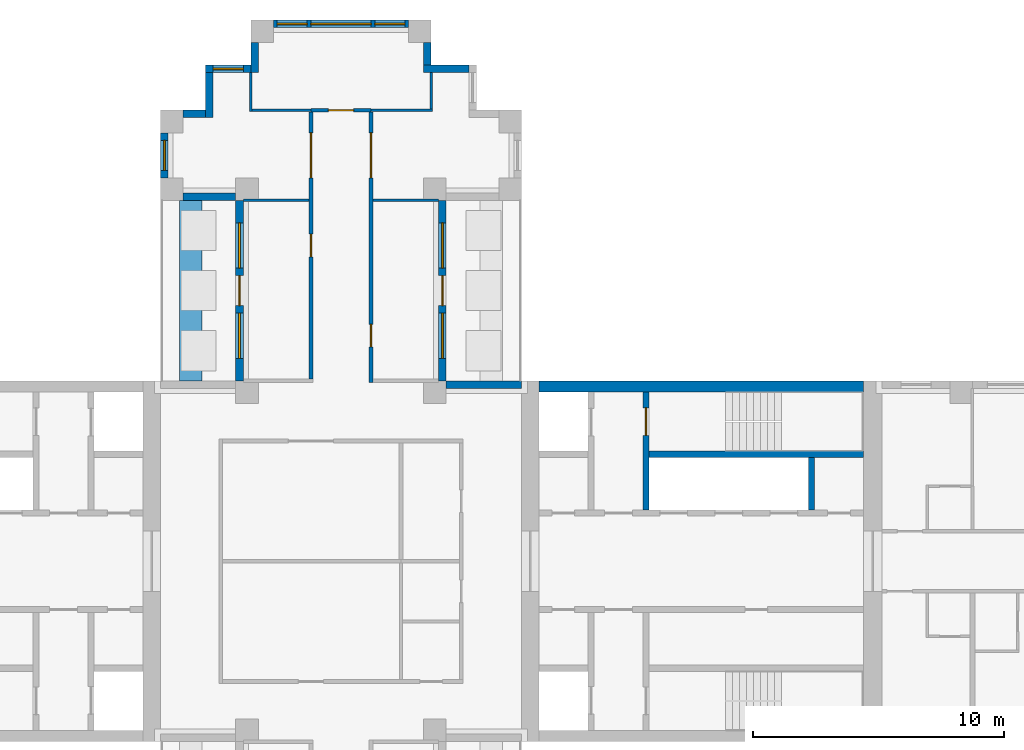
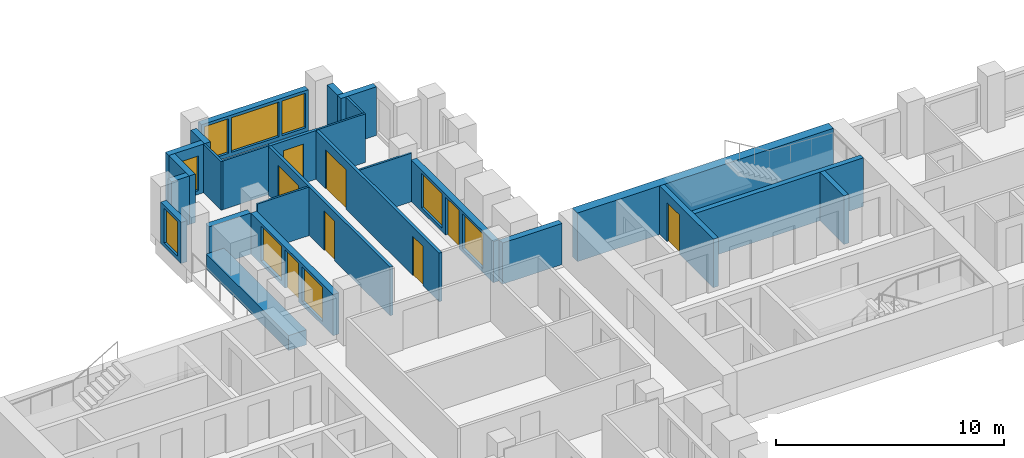
# One storey, part 7 of 12: 26 walls, 9 windows, 8 doors, 17 openings.
"""IFC4 building model written with IfcOpenShell, lengths in metres."""

from ifc_helpers import new_model, si_unit, direction, frame, frame_2d, origin, place, context, subcontext, project, spatial, rectangle, extrude, material, layer, layer_set, type_object, element, fill, save


model = new_model("IFC4")

# Units and contexts
model_context = context("Model", 3, precision=1e-05, world=origin(), true_north=direction((0.0, 1.0)))
body_context = subcontext(model_context, "Body", "Model", "MODEL_VIEW")
ifc_project = project(units=[si_unit("LENGTHUNIT", "METRE"), si_unit("AREAUNIT", "SQUARE_METRE"), si_unit("VOLUMEUNIT", "CUBIC_METRE"), si_unit("PLANEANGLEUNIT", "RADIAN"), si_unit("MASSUNIT", "GRAM", prefix="KILO")], contexts=[model_context])

# Site, building, storey
site_placement = place(None, origin())
site = spatial("IfcSite", under=ifc_project, at=site_placement, CompositionType="ELEMENT")
building_placement = place(site_placement, origin())
building = spatial("IfcBuilding", under=site, at=building_placement, Name="Fustian Cross Tower", CompositionType="ELEMENT")
storey_placement = place(building_placement, frame((0.0, 0.0, 132.300048828125)))
storey = spatial("IfcBuildingStorey", under=building, at=storey_placement, Name="L41", CompositionType="ELEMENT", Elevation=132.300048828125)

# Wall, openings, doors
ifc_material_1 = material(Name="Plasterboard on steel stud", Category="steel")
ifc_layer_1 = layer(ifc_material_1, 0.14990234375)
ifc_layer_set_1 = layer_set([ifc_layer_1], Name="Plasterboard on steel stud")
wall_type_1 = type_object("IfcWallType", Name="COMPARTMENT WALL 150 EI 60", PredefinedType="PARTITIONING", material=ifc_layer_set_1)
wall_1_placement = place(storey_placement, frame((-1.199951171875, 7.27490234375, 0.0), z_axis=(0.0, 0.0, 1.0), x_axis=(0.0, 1.0, 0.0)))
wall_1 = element("IfcWall", 1, at=wall_1_placement, inside=storey, type_object=wall_type_1, Name="Partition 31", PredefinedType="PARTITIONING", context=body_context, shape_type="SweptSolid", body=[
    extrude(rectangle(XDim=10.650146484375, YDim=0.14990234375, at=frame_2d((5.3251953125, 0.0))), origin(), (0.0, 0.0, 1.0), 2.599853515625),
])
opening_1_placement = place(wall_1_placement, frame((4.875, 0.0, 0.0)))
opening_1 = element("IfcOpeningElement", 2, at=opening_1_placement, cuts=wall_1, Name="Opening D19016", PredefinedType="OPENING", context=body_context, shape_type="SweptSolid", body=[
    extrude(rectangle(XDim=0.89990234375, YDim=2.10009765625, at=frame_2d((0.449951171875, 1.050048828125))), frame((0.0, 0.0849609375, 0.0), z_axis=(0.0, -1.0, 0.0), x_axis=(1.0, 0.0, 0.0)), (0.0, 0.0, 1.0), 0.169921875),
])
opening_2_placement = place(wall_1_placement, frame((8.02490234375, 0.0, 0.0)))
opening_2 = element("IfcOpeningElement", 3, at=opening_2_placement, cuts=wall_1, Name="Opening D19017", PredefinedType="OPENING", context=body_context, shape_type="SweptSolid", body=[
    extrude(rectangle(XDim=1.800048828125, YDim=2.10009765625, at=frame_2d((0.89990234375, 1.050048828125))), frame((0.0, 0.0849609375, 0.0), z_axis=(0.0, -1.0, 0.0), x_axis=(1.0, 0.0, 0.0)), (0.0, 0.0, 1.0), 0.169921875),
])
ifc_material_2 = material(Name="Timber fire door set", Category="wood")
door_type_1 = type_object("IfcDoorType", Name="FIRE DOUBLE DOOR 1800 FD30S", OperationType="DOUBLE_DOOR_DOUBLE_SWING", PredefinedType="DOOR", material=ifc_material_2)
door_1_placement = place(opening_2_placement, frame((1.800048828125, 0.0, 0.0), z_axis=(0.0, 0.0, 1.0), x_axis=(-1.0, 0.0, 0.0)))
door_1 = element("IfcDoor", 4, at=door_1_placement, inside=storey, type_object=door_type_1, Name="Door D19017", OperationType="DOUBLE_DOOR_DOUBLE_SWING", OverallHeight=2.10009765625, OverallWidth=1.800048828125, PredefinedType="DOOR", context=body_context, shape_type="SweptSolid", body=[
    extrude(rectangle(XDim=1.800048828125, YDim=2.10009765625, at=frame_2d((0.89990234375, 1.050048828125))), frame((0.0, 0.02490234375, 0.0), z_axis=(0.0, -1.0, 0.0), x_axis=(1.0, 0.0, 0.0)), (0.0, 0.0, 1.0), 0.050048828125),
])
fill(opening_2, door_1)
ifc_material_3 = material(Name="Timber fire door set", Category="wood")
door_type_2 = type_object("IfcDoorType", Name="FIRE SWING DOOR 900 FD30S", OperationType="SINGLE_SWING_LEFT", PredefinedType="DOOR", material=ifc_material_3)
door_2_placement = place(opening_1_placement, origin())
door_2 = element("IfcDoor", 5, at=door_2_placement, inside=storey, type_object=door_type_2, Name="Door D19016", OperationType="SINGLE_SWING_RIGHT", OverallHeight=2.10009765625, OverallWidth=0.89990234375, PredefinedType="DOOR", context=body_context, shape_type="SweptSolid", body=[
    extrude(rectangle(XDim=0.89990234375, YDim=2.10009765625, at=frame_2d((0.449951171875, 1.050048828125))), frame((0.0, 0.02490234375, 0.0), z_axis=(0.0, -1.0, 0.0), x_axis=(1.0, 0.0, 0.0)), (0.0, 0.0, 1.0), 0.050048828125),
])
fill(opening_1, door_2)

# Wall, opening, door
wall_2_placement = place(storey_placement, frame((-1.199951171875, 18.0, 0.0), z_axis=(0.0, 0.0, 1.0), x_axis=(1.0, 0.0, 0.0)))
wall_2 = element("IfcWall", 6, at=wall_2_placement, inside=storey, type_object=wall_type_1, Name="Partition 32", PredefinedType="PARTITIONING", context=body_context, shape_type="SweptSolid", body=[
    extrude(rectangle(XDim=2.39990234375, YDim=0.14990234375, at=frame_2d((1.199951171875, 0.0))), origin(), (0.0, 0.0, 1.0), 2.599853515625),
])
opening_3_placement = place(wall_2_placement, frame((0.699951171875, 0.0, 0.0)))
opening_3 = element("IfcOpeningElement", 7, at=opening_3_placement, cuts=wall_2, Name="Opening D19015", PredefinedType="OPENING", context=body_context, shape_type="SweptSolid", body=[
    extrude(rectangle(XDim=1.0, YDim=2.10009765625, at=frame_2d((0.5, 1.050048828125))), frame((0.0, 0.0849609375, 0.0), z_axis=(0.0, -1.0, 0.0), x_axis=(1.0, 0.0, 0.0)), (0.0, 0.0, 1.0), 0.169921875),
])
ifc_material_4 = material(Name="Timber fire door set", Category="wood")
door_type_3 = type_object("IfcDoorType", Name="FIRE SWING DOOR 1000 FD30S", OperationType="SINGLE_SWING_LEFT", PredefinedType="DOOR", material=ifc_material_4)
door_3_placement = place(opening_3_placement, origin())
door_3 = element("IfcDoor", 8, at=door_3_placement, inside=storey, type_object=door_type_3, Name="Door D19015", OperationType="SINGLE_SWING_LEFT", OverallHeight=2.10009765625, OverallWidth=1.0, PredefinedType="DOOR", context=body_context, shape_type="SweptSolid", body=[
    extrude(rectangle(XDim=1.0, YDim=2.10009765625, at=frame_2d((0.5, 1.050048828125))), frame((0.0, 0.02490234375, 0.0), z_axis=(0.0, -1.0, 0.0), x_axis=(1.0, 0.0, 0.0)), (0.0, 0.0, 1.0), 0.050048828125),
])
fill(opening_3, door_3)

# Wall, openings, doors
wall_3_placement = place(storey_placement, frame((1.199951171875, 7.125, 0.0), z_axis=(0.0, 0.0, 1.0), x_axis=(0.0, 1.0, 0.0)))
wall_3 = element("IfcWall", 9, at=wall_3_placement, inside=storey, type_object=wall_type_1, Name="Partition 38", PredefinedType="PARTITIONING", context=body_context, shape_type="SweptSolid", body=[
    extrude(rectangle(XDim=10.800048828125, YDim=0.14990234375, at=frame_2d((5.39990234375, 0.0))), origin(), (0.0, 0.0, 1.0), 2.599853515625),
])
opening_4_placement = place(wall_3_placement, frame((1.425048828125, 0.0, 0.0)))
opening_4 = element("IfcOpeningElement", 10, at=opening_4_placement, cuts=wall_3, Name="Opening D19018", PredefinedType="OPENING", context=body_context, shape_type="SweptSolid", body=[
    extrude(rectangle(XDim=0.89990234375, YDim=2.10009765625, at=frame_2d((0.449951171875, 1.050048828125))), frame((0.0, 0.0849609375, 0.0), z_axis=(0.0, -1.0, 0.0), x_axis=(1.0, 0.0, 0.0)), (0.0, 0.0, 1.0), 0.169921875),
])
opening_5_placement = place(wall_3_placement, frame((8.175048828125, 0.0, 0.0)))
opening_5 = element("IfcOpeningElement", 11, at=opening_5_placement, cuts=wall_3, Name="Opening D19019", PredefinedType="OPENING", context=body_context, shape_type="SweptSolid", body=[
    extrude(rectangle(XDim=1.800048828125, YDim=2.10009765625, at=frame_2d((0.89990234375, 1.050048828125))), frame((0.0, 0.0849609375, 0.0), z_axis=(0.0, -1.0, 0.0), x_axis=(1.0, 0.0, 0.0)), (0.0, 0.0, 1.0), 0.169921875),
])
door_4_placement = place(opening_5_placement, origin())
door_4 = element("IfcDoor", 12, at=door_4_placement, inside=storey, type_object=door_type_1, Name="Door D19019", OperationType="DOUBLE_DOOR_DOUBLE_SWING", OverallHeight=2.10009765625, OverallWidth=1.800048828125, PredefinedType="DOOR", context=body_context, shape_type="SweptSolid", body=[
    extrude(rectangle(XDim=1.800048828125, YDim=2.10009765625, at=frame_2d((0.89990234375, 1.050048828125))), frame((0.0, 0.02490234375, 0.0), z_axis=(0.0, -1.0, 0.0), x_axis=(1.0, 0.0, 0.0)), (0.0, 0.0, 1.0), 0.050048828125),
])
fill(opening_5, door_4)
door_5_placement = place(opening_4_placement, frame((0.89990234375, 0.0, 0.0), z_axis=(0.0, 0.0, 1.0), x_axis=(-1.0, 0.0, 0.0)))
door_5 = element("IfcDoor", 13, at=door_5_placement, inside=storey, type_object=door_type_2, Name="Door D19018", OperationType="SINGLE_SWING_RIGHT", OverallHeight=2.10009765625, OverallWidth=0.89990234375, PredefinedType="DOOR", context=body_context, shape_type="SweptSolid", body=[
    extrude(rectangle(XDim=0.89990234375, YDim=2.10009765625, at=frame_2d((0.449951171875, 1.050048828125))), frame((0.0, 0.02490234375, 0.0), z_axis=(0.0, -1.0, 0.0), x_axis=(1.0, 0.0, 0.0)), (0.0, 0.0, 1.0), 0.050048828125),
])
fill(opening_4, door_5)

# Walls
ifc_material_5 = material(Name="Concrete C60/75", Category="concrete")
ifc_layer_2 = layer(ifc_material_5, 0.449951171875)
ifc_layer_set_2 = layer_set([ifc_layer_2], Name="Concrete C60/75")
wall_type_2 = type_object("IfcWallType", Name="CORE FACADE WALL 450 C60/75", PredefinedType="SHEAR", material=ifc_layer_set_2)
wall_4_placement = place(storey_placement, frame((7.89990234375, 6.97509765625, 0.0), z_axis=(0.0, 0.0, 1.0), x_axis=(1.0, 0.0, 0.0)))
element("IfcWall", 14, at=wall_4_placement, inside=storey, type_object=wall_type_2, Name="Core facade wall", PredefinedType="SHEAR", context=body_context, shape_type="SweptSolid", body=[
    extrude(rectangle(XDim=12.9501953125, YDim=0.449951171875, at=frame_2d((6.47509765625, 0.0))), origin(), (0.0, 0.0, 1.0), 2.599853515625),
])
ifc_material_6 = material(Name="Concrete C50/60", Category="concrete")
ifc_layer_3 = layer(ifc_material_6, 0.25)
ifc_layer_set_3 = layer_set([ifc_layer_3], Name="Concrete C50/60")
wall_type_3 = type_object("IfcWallType", Name="CORE SHAFT WALL 250 C50/60", PredefinedType="SHEAR", material=ifc_layer_set_3)
wall_5_placement = place(storey_placement, frame((12.300048828125, 4.27490234375, 0.0), z_axis=(0.0, 0.0, 1.0), x_axis=(1.0, 0.0, 0.0)))
element("IfcWall", 15, at=wall_5_placement, inside=storey, type_object=wall_type_3, Name="Core shaft wall", PredefinedType="SHEAR", context=body_context, shape_type="SweptSolid", body=[
    extrude(rectangle(XDim=8.550048828125, YDim=0.25, at=frame_2d((4.27490234375, 0.0))), origin(), (0.0, 0.0, 1.0), 2.599853515625),
])

# Wall, opening, door
wall_6_placement = place(storey_placement, frame((12.175048828125, 2.050048828125, 0.0), z_axis=(0.0, 0.0, 1.0), x_axis=(0.0, 1.0, 0.0)))
wall_6 = element("IfcWall", 16, at=wall_6_placement, inside=storey, type_object=wall_type_3, Name="Core shaft wall", PredefinedType="SHEAR", context=body_context, shape_type="SweptSolid", body=[
    extrude(rectangle(XDim=4.699951171875, YDim=0.25, at=frame_2d((2.35009765625, 0.0))), origin(), (0.0, 0.0, 1.0), 2.599853515625),
])
opening_6_placement = place(wall_6_placement, frame((2.97509765625, 0.0, 0.0)))
opening_6 = element("IfcOpeningElement", 17, at=opening_6_placement, cuts=wall_6, Name="Opening CD-17-06", PredefinedType="OPENING", context=body_context, shape_type="SweptSolid", body=[
    extrude(rectangle(XDim=1.10009765625, YDim=2.10009765625, at=frame_2d((0.550048828125, 1.050048828125))), frame((0.0, 0.135009765625, 0.0), z_axis=(0.0, -1.0, 0.0), x_axis=(1.0, 0.0, 0.0)), (0.0, 0.0, 1.0), 0.27001953125),
])
ifc_material_7 = material(Name="Steel", Category="steel")
door_type_4 = type_object("IfcDoorType", Name="FIRE DOOR FD60S 1100X2100", OperationType="SINGLE_SWING_LEFT", PredefinedType="DOOR", material=ifc_material_7)
door_6_placement = place(opening_6_placement, frame((1.10009765625, 0.0, 0.0), z_axis=(0.0, 0.0, 1.0), x_axis=(-1.0, 0.0, 0.0)))
door_6 = element("IfcDoor", 18, at=door_6_placement, inside=storey, type_object=door_type_4, Name="Core door CD-17-06", OperationType="SINGLE_SWING_RIGHT", OverallHeight=2.10009765625, OverallWidth=1.10009765625, PredefinedType="DOOR", context=body_context, shape_type="SweptSolid", body=[
    extrude(rectangle(XDim=1.10009765625, YDim=2.10009765625, at=frame_2d((0.550048828125, 1.050048828125))), frame((0.0, 0.02490234375, 0.0), z_axis=(0.0, -1.0, 0.0), x_axis=(1.0, 0.0, 0.0)), (0.0, 0.0, 1.0), 0.050048828125),
])
fill(opening_6, door_6)

# Walls
ifc_material_8 = material(Name="Plasterboard on steel stud", Category="steel")
ifc_layer_4 = layer(ifc_material_8, 0.10009765625)
ifc_layer_set_4 = layer_set([ifc_layer_4], Name="Plasterboard on steel stud")
wall_type_4 = type_object("IfcWallType", Name="PARTITION 100 STUD", PredefinedType="PARTITIONING", material=ifc_layer_set_4)
wall_7_placement = place(storey_placement, frame((-3.89990234375, 14.39990234375, 0.0), z_axis=(0.0, 0.0, 1.0), x_axis=(1.0, 0.0, 0.0)))
element("IfcWall", 19, at=wall_7_placement, inside=storey, type_object=wall_type_4, Name="Partition 23", PredefinedType="PARTITIONING", context=body_context, shape_type="SweptSolid", body=[
    extrude(rectangle(XDim=2.625, YDim=0.10009765625, at=frame_2d((1.3125, 0.0))), origin(), (0.0, 0.0, 1.0), 2.599853515625),
])
wall_8_placement = place(storey_placement, frame((-3.60009765625, 17.949951171875, 0.0), z_axis=(0.0, 0.0, 1.0), x_axis=(0.0, 1.0, 0.0)))
element("IfcWall", 20, at=wall_8_placement, inside=storey, type_object=wall_type_4, Name="Partition 27", PredefinedType="PARTITIONING", context=body_context, shape_type="SweptSolid", body=[
    extrude(rectangle(XDim=1.550048828125, YDim=0.10009765625, at=frame_2d((0.77490234375, 0.0))), origin(), (0.0, 0.0, 1.0), 2.599853515625),
])
wall_9_placement = place(storey_placement, frame((-3.550048828125, 18.0, 0.0), z_axis=(0.0, 0.0, 1.0), x_axis=(1.0, 0.0, 0.0)))
element("IfcWall", 21, at=wall_9_placement, inside=storey, type_object=wall_type_4, Name="Partition 28", PredefinedType="PARTITIONING", context=body_context, shape_type="SweptSolid", body=[
    extrude(rectangle(XDim=2.35009765625, YDim=0.10009765625, at=frame_2d((1.175048828125, 0.0))), origin(), (0.0, 0.0, 1.0), 2.599853515625),
])
wall_10_placement = place(storey_placement, frame((1.27490234375, 14.39990234375, 0.0), z_axis=(0.0, 0.0, 1.0), x_axis=(1.0, 0.0, 0.0)))
element("IfcWall", 22, at=wall_10_placement, inside=storey, type_object=wall_type_4, Name="Partition 40", PredefinedType="PARTITIONING", context=body_context, shape_type="SweptSolid", body=[
    extrude(rectangle(XDim=2.625, YDim=0.10009765625, at=frame_2d((1.3125, 0.0))), origin(), (0.0, 0.0, 1.0), 2.599853515625),
])
wall_11_placement = place(storey_placement, frame((1.199951171875, 18.0, 0.0), z_axis=(0.0, 0.0, 1.0), x_axis=(1.0, 0.0, 0.0)))
element("IfcWall", 23, at=wall_11_placement, inside=storey, type_object=wall_type_4, Name="Partition 41", PredefinedType="PARTITIONING", context=body_context, shape_type="SweptSolid", body=[
    extrude(rectangle(XDim=2.449951171875, YDim=0.10009765625, at=frame_2d((1.22509765625, 0.0))), origin(), (0.0, 0.0, 1.0), 2.599853515625),
])
wall_12_placement = place(storey_placement, frame((3.60009765625, 18.050048828125, 0.0), z_axis=(0.0, 0.0, 1.0), x_axis=(0.0, 1.0, 0.0)))
element("IfcWall", 24, at=wall_12_placement, inside=storey, type_object=wall_type_4, Name="Partition 47", PredefinedType="PARTITIONING", context=body_context, shape_type="SweptSolid", body=[
    extrude(rectangle(XDim=1.449951171875, YDim=0.10009765625, at=frame_2d((0.72509765625, 0.0))), origin(), (0.0, 0.0, 1.0), 2.599853515625),
])
ifc_material_9 = material(Name="Concrete C40/50", Category="concrete")
ifc_layer_5 = layer(ifc_material_9, 0.89990234375)
ifc_layer_set_5 = layer_set([ifc_layer_5], Name="Concrete C40/50")
wall_type_5 = type_object("IfcWallType", Name="PK1 PLANTER 900", PredefinedType="PARAPET", material=ifc_layer_set_5)
wall_13_placement = place(storey_placement, frame((-6.0, 7.199951171875, 0.0), z_axis=(0.0, 0.0, 1.0), x_axis=(0.0, 1.0, 0.0)))
element("IfcWall", 25, at=wall_13_placement, inside=storey, type_object=wall_type_5, Name="PLANTER", PredefinedType="PARAPET", context=body_context, shape_type="SweptSolid", body=[
    extrude(rectangle(XDim=7.199951171875, YDim=0.89990234375, at=frame_2d((3.60009765625, 0.0))), origin(), (0.0, 0.0, 1.0), 0.800048828125),
])
ifc_material_10 = material(Name="Concrete C40/50", Category="concrete")
ifc_layer_6 = layer(ifc_material_10, 0.25)
ifc_layer_set_6 = layer_set([ifc_layer_6], Name="Concrete C40/50")
wall_type_6 = type_object("IfcWallType", Name="SHAFT PARTITION WALL 250 C40/50", PredefinedType="PARTITIONING", material=ifc_layer_set_6)
wall_14_placement = place(storey_placement, frame((18.77490234375, 2.050048828125, 0.0), z_axis=(0.0, 0.0, 1.0), x_axis=(0.0, 1.0, 0.0)))
element("IfcWall", 26, at=wall_14_placement, inside=storey, type_object=wall_type_6, Name="Core shaft wall", PredefinedType="PARTITIONING", context=body_context, shape_type="SweptSolid", body=[
    extrude(rectangle(XDim=2.099853515625, YDim=0.25, at=frame_2d((1.0498046875, 0.0))), origin(), (0.0, 0.0, 1.0), 2.599853515625),
])
ifc_material_11 = material(Name="Dark aluminium cladding on insulated backing wall", Category="aluminium")
ifc_layer_7 = layer(ifc_material_11, 0.300048828125)
ifc_layer_set_7 = layer_set([ifc_layer_7], Name="Dark aluminium cladding on insulated backing wall")
wall_type_7 = type_object("IfcWallType", Name="XW1 EXTERNAL WALL 300", PredefinedType="SOLIDWALL", material=ifc_layer_set_7)
wall_15_placement = place(storey_placement, frame((7.199951171875, 7.050048828125, 0.0), z_axis=(0.0, 0.0, 1.0), x_axis=(-1.0, 0.0, 0.0)))
element("IfcWall", 27, at=wall_15_placement, inside=storey, type_object=wall_type_7, Name="External wall", PredefinedType="SOLIDWALL", context=body_context, shape_type="SweptSolid", body=[
    extrude(rectangle(XDim=3.0, YDim=0.300048828125, at=frame_2d((1.5, 0.0))), origin(), (0.0, 0.0, 1.0), 2.199951171875),
])

# Wall, openings, door, windows
wall_16_placement = place(storey_placement, frame((4.050048828125, 7.199951171875, 0.0), z_axis=(0.0, 0.0, 1.0), x_axis=(0.0, 1.0, 0.0)))
wall_16 = element("IfcWall", 28, at=wall_16_placement, inside=storey, type_object=wall_type_7, Name="External wall", PredefinedType="SOLIDWALL", context=body_context, shape_type="SweptSolid", body=[
    extrude(rectangle(XDim=7.199951171875, YDim=0.300048828125, at=frame_2d((3.60009765625, 0.0))), origin(), (0.0, 0.0, 1.0), 2.199951171875),
])
opening_7_placement = place(wall_16_placement, frame((3.0, 0.0, 0.0)))
opening_7 = element("IfcOpeningElement", 29, at=opening_7_placement, cuts=wall_16, Name="Opening XD1", PredefinedType="OPENING", context=body_context, shape_type="SweptSolid", body=[
    extrude(rectangle(XDim=1.199951171875, YDim=2.050048828125, at=frame_2d((0.60009765625, 1.02490234375))), frame((0.0, 0.159912109375, 0.0), z_axis=(0.0, -1.0, 0.0), x_axis=(1.0, 0.0, 0.0)), (0.0, 0.0, 1.0), 0.320068359375),
])
opening_8_placement = place(wall_16_placement, frame((0.89990234375, 0.0, 0.199951171875)))
opening_8 = element("IfcOpeningElement", 30, at=opening_8_placement, cuts=wall_16, Name="Opening WN2", PredefinedType="OPENING", context=body_context, shape_type="SweptSolid", body=[
    extrude(rectangle(XDim=1.800048828125, YDim=1.85009765625, at=frame_2d((0.89990234375, 0.925048828125))), frame((0.0, 0.159912109375, 0.0), z_axis=(0.0, -1.0, 0.0), x_axis=(1.0, 0.0, 0.0)), (0.0, 0.0, 1.0), 0.320068359375),
])
opening_9_placement = place(wall_16_placement, frame((4.5, 0.0, 0.199951171875)))
opening_9 = element("IfcOpeningElement", 31, at=opening_9_placement, cuts=wall_16, Name="Opening WN2", PredefinedType="OPENING", context=body_context, shape_type="SweptSolid", body=[
    extrude(rectangle(XDim=1.800048828125, YDim=1.85009765625, at=frame_2d((0.89990234375, 0.925048828125))), frame((0.0, 0.159912109375, 0.0), z_axis=(0.0, -1.0, 0.0), x_axis=(1.0, 0.0, 0.0)), (0.0, 0.0, 1.0), 0.320068359375),
])
ifc_material_12 = material(Name="Dark anodised aluminium and double glazing", Category="aluminium")
door_type_5 = type_object("IfcDoorType", Name="ED1 BALCONY DOOR 1200X2050", OperationType="SINGLE_SWING_LEFT", PredefinedType="DOOR", material=ifc_material_12)
door_7_placement = place(opening_7_placement, origin())
door_7 = element("IfcDoor", 32, at=door_7_placement, inside=storey, type_object=door_type_5, Name="Balcony door", OperationType="SINGLE_SWING_LEFT", OverallHeight=2.050048828125, OverallWidth=1.199951171875, PredefinedType="DOOR", context=body_context, shape_type="SweptSolid", body=[
    extrude(rectangle(XDim=1.199951171875, YDim=2.050048828125, at=frame_2d((0.60009765625, 1.02490234375))), frame((0.0, 0.02490234375, 0.0), z_axis=(0.0, -1.0, 0.0), x_axis=(1.0, 0.0, 0.0)), (0.0, 0.0, 1.0), 0.050048828125),
])
fill(opening_7, door_7)
ifc_material_13 = material(Name="Dark anodised aluminium and double glazing", Category="aluminium")
window_type_1 = type_object("IfcWindowType", Name="WN2 WINDOW 1800X1850", PartitioningType="SINGLE_PANEL", PredefinedType="WINDOW", material=ifc_material_13)
window_1_placement = place(opening_8_placement, origin())
window_1 = element("IfcWindow", 33, at=window_1_placement, inside=storey, type_object=window_type_1, Name="Window", OverallHeight=1.85009765625, OverallWidth=1.800048828125, PartitioningType="SINGLE_PANEL", PredefinedType="WINDOW", context=body_context, shape_type="SweptSolid", body=[
    extrude(rectangle(XDim=1.800048828125, YDim=1.85009765625, at=frame_2d((0.89990234375, 0.925048828125))), frame((0.0, 0.030029296875, 0.0), z_axis=(0.0, -1.0, 0.0), x_axis=(1.0, 0.0, 0.0)), (0.0, 0.0, 1.0), 0.06005859375),
])
fill(opening_8, window_1)
window_2_placement = place(opening_9_placement, origin())
window_2 = element("IfcWindow", 34, at=window_2_placement, inside=storey, type_object=window_type_1, Name="Window", OverallHeight=1.85009765625, OverallWidth=1.800048828125, PartitioningType="SINGLE_PANEL", PredefinedType="WINDOW", context=body_context, shape_type="SweptSolid", body=[
    extrude(rectangle(XDim=1.800048828125, YDim=1.85009765625, at=frame_2d((0.89990234375, 0.925048828125))), frame((0.0, 0.030029296875, 0.0), z_axis=(0.0, -1.0, 0.0), x_axis=(1.0, 0.0, 0.0)), (0.0, 0.0, 1.0), 0.06005859375),
])
fill(opening_9, window_2)

# Walls
wall_17_placement = place(storey_placement, frame((5.10009765625, 19.64990234375, 0.0), z_axis=(0.0, 0.0, 1.0), x_axis=(-1.0, 0.0, 0.0)))
element("IfcWall", 35, at=wall_17_placement, inside=storey, type_object=wall_type_7, Name="External wall", PredefinedType="SOLIDWALL", context=body_context, shape_type="SweptSolid", body=[
    extrude(rectangle(XDim=1.800048828125, YDim=0.300048828125, at=frame_2d((0.89990234375, 0.0))), origin(), (0.0, 0.0, 1.0), 2.599853515625),
])
wall_18_placement = place(storey_placement, frame((3.449951171875, 19.800048828125, 0.0), z_axis=(0.0, 0.0, 1.0), x_axis=(0.0, 1.0, 0.0)))
element("IfcWall", 36, at=wall_18_placement, inside=storey, type_object=wall_type_7, Name="External wall", PredefinedType="SOLIDWALL", context=body_context, shape_type="SweptSolid", body=[
    extrude(rectangle(XDim=0.89990234375, YDim=0.300048828125, at=frame_2d((0.449951171875, 0.0))), origin(), (0.0, 0.0, 1.0), 2.599853515625),
])

# Wall, openings, windows
wall_19_placement = place(storey_placement, frame((2.699951171875, 21.449951171875, 0.0), z_axis=(0.0, 0.0, 1.0), x_axis=(-1.0, 0.0, 0.0)))
wall_19 = element("IfcWall", 37, at=wall_19_placement, inside=storey, type_object=wall_type_7, Name="External wall", PredefinedType="SOLIDWALL", context=body_context, shape_type="SweptSolid", body=[
    extrude(rectangle(XDim=5.39990234375, YDim=0.300048828125, at=frame_2d((2.699951171875, 0.0))), origin(), (0.0, 0.0, 1.0), 2.199951171875),
])
opening_10_placement = place(wall_19_placement, frame((1.5, 0.0, 0.199951171875)))
opening_10 = element("IfcOpeningElement", 38, at=opening_10_placement, cuts=wall_19, Name="Opening WN1", PredefinedType="OPENING", context=body_context, shape_type="SweptSolid", body=[
    extrude(rectangle(XDim=2.39990234375, YDim=1.85009765625, at=frame_2d((1.199951171875, 0.925048828125))), frame((0.0, 0.159912109375, 0.0), z_axis=(0.0, -1.0, 0.0), x_axis=(1.0, 0.0, 0.0)), (0.0, 0.0, 1.0), 0.320068359375),
])
opening_11_placement = place(wall_19_placement, frame((0.14990234375, 0.0, 0.199951171875)))
opening_11 = element("IfcOpeningElement", 39, at=opening_11_placement, cuts=wall_19, Name="Opening WN3", PredefinedType="OPENING", context=body_context, shape_type="SweptSolid", body=[
    extrude(rectangle(XDim=1.199951171875, YDim=1.85009765625, at=frame_2d((0.60009765625, 0.925048828125))), frame((0.0, 0.159912109375, 0.0), z_axis=(0.0, -1.0, 0.0), x_axis=(1.0, 0.0, 0.0)), (0.0, 0.0, 1.0), 0.320068359375),
])
opening_12_placement = place(wall_19_placement, frame((4.050048828125, 0.0, 0.199951171875)))
opening_12 = element("IfcOpeningElement", 40, at=opening_12_placement, cuts=wall_19, Name="Opening WN3", PredefinedType="OPENING", context=body_context, shape_type="SweptSolid", body=[
    extrude(rectangle(XDim=1.199951171875, YDim=1.85009765625, at=frame_2d((0.60009765625, 0.925048828125))), frame((0.0, 0.159912109375, 0.0), z_axis=(0.0, -1.0, 0.0), x_axis=(1.0, 0.0, 0.0)), (0.0, 0.0, 1.0), 0.320068359375),
])
ifc_material_14 = material(Name="Dark anodised aluminium and double glazing", Category="aluminium")
window_type_2 = type_object("IfcWindowType", Name="WN1 WINDOW 2400X1850", PartitioningType="SINGLE_PANEL", PredefinedType="WINDOW", material=ifc_material_14)
window_3_placement = place(opening_10_placement, origin())
window_3 = element("IfcWindow", 41, at=window_3_placement, inside=storey, type_object=window_type_2, Name="Window", OverallHeight=1.85009765625, OverallWidth=2.39990234375, PartitioningType="SINGLE_PANEL", PredefinedType="WINDOW", context=body_context, shape_type="SweptSolid", body=[
    extrude(rectangle(XDim=2.39990234375, YDim=1.85009765625, at=frame_2d((1.199951171875, 0.925048828125))), frame((0.0, 0.030029296875, 0.0), z_axis=(0.0, -1.0, 0.0), x_axis=(1.0, 0.0, 0.0)), (0.0, 0.0, 1.0), 0.06005859375),
])
fill(opening_10, window_3)
ifc_material_15 = material(Name="Dark anodised aluminium and double glazing", Category="aluminium")
window_type_3 = type_object("IfcWindowType", Name="WN3 WINDOW 1200X1850", PartitioningType="SINGLE_PANEL", PredefinedType="WINDOW", material=ifc_material_15)
window_4_placement = place(opening_11_placement, origin())
window_4 = element("IfcWindow", 42, at=window_4_placement, inside=storey, type_object=window_type_3, Name="Window", OverallHeight=1.85009765625, OverallWidth=1.199951171875, PartitioningType="SINGLE_PANEL", PredefinedType="WINDOW", context=body_context, shape_type="SweptSolid", body=[
    extrude(rectangle(XDim=1.199951171875, YDim=1.85009765625, at=frame_2d((0.60009765625, 0.925048828125))), frame((0.0, 0.030029296875, 0.0), z_axis=(0.0, -1.0, 0.0), x_axis=(1.0, 0.0, 0.0)), (0.0, 0.0, 1.0), 0.06005859375),
])
fill(opening_11, window_4)
window_5_placement = place(opening_12_placement, origin())
window_5 = element("IfcWindow", 43, at=window_5_placement, inside=storey, type_object=window_type_3, Name="Window", OverallHeight=1.85009765625, OverallWidth=1.199951171875, PartitioningType="SINGLE_PANEL", PredefinedType="WINDOW", context=body_context, shape_type="SweptSolid", body=[
    extrude(rectangle(XDim=1.199951171875, YDim=1.85009765625, at=frame_2d((0.60009765625, 0.925048828125))), frame((0.0, 0.030029296875, 0.0), z_axis=(0.0, -1.0, 0.0), x_axis=(1.0, 0.0, 0.0)), (0.0, 0.0, 1.0), 0.06005859375),
])
fill(opening_12, window_5)

# Wall
wall_20_placement = place(storey_placement, frame((-3.449951171875, 20.699951171875, 0.0), z_axis=(0.0, 0.0, 1.0), x_axis=(0.0, -1.0, 0.0)))
element("IfcWall", 44, at=wall_20_placement, inside=storey, type_object=wall_type_7, Name="External wall", PredefinedType="SOLIDWALL", context=body_context, shape_type="SweptSolid", body=[
    extrude(rectangle(XDim=1.199951171875, YDim=0.300048828125, at=frame_2d((0.60009765625, 0.0))), origin(), (0.0, 0.0, 1.0), 2.599853515625),
])

# Wall, opening, window
wall_21_placement = place(storey_placement, frame((-3.60009765625, 19.64990234375, 0.0), z_axis=(0.0, 0.0, 1.0), x_axis=(-1.0, 0.0, 0.0)))
wall_21 = element("IfcWall", 45, at=wall_21_placement, inside=storey, type_object=wall_type_7, Name="External wall", PredefinedType="SOLIDWALL", context=body_context, shape_type="SweptSolid", body=[
    extrude(rectangle(XDim=1.7998046875, YDim=0.300048828125, at=frame_2d((0.89990234375, 0.0))), origin(), (0.0, 0.0, 1.0), 2.599853515625),
])
opening_13_placement = place(wall_21_placement, frame((0.300048828125, 0.0, 0.199951171875)))
opening_13 = element("IfcOpeningElement", 46, at=opening_13_placement, cuts=wall_21, Name="Opening WN3", PredefinedType="OPENING", context=body_context, shape_type="SweptSolid", body=[
    extrude(rectangle(XDim=1.199951171875, YDim=1.85009765625, at=frame_2d((0.60009765625, 0.925048828125))), frame((0.0, 0.159912109375, 0.0), z_axis=(0.0, -1.0, 0.0), x_axis=(1.0, 0.0, 0.0)), (0.0, 0.0, 1.0), 0.320068359375),
])
window_6_placement = place(opening_13_placement, origin())
window_6 = element("IfcWindow", 47, at=window_6_placement, inside=storey, type_object=window_type_3, Name="Window", OverallHeight=1.85009765625, OverallWidth=1.199951171875, PartitioningType="SINGLE_PANEL", PredefinedType="WINDOW", context=body_context, shape_type="SweptSolid", body=[
    extrude(rectangle(XDim=1.199951171875, YDim=1.85009765625, at=frame_2d((0.60009765625, 0.925048828125))), frame((0.0, 0.030029296875, 0.0), z_axis=(0.0, -1.0, 0.0), x_axis=(1.0, 0.0, 0.0)), (0.0, 0.0, 1.0), 0.06005859375),
])
fill(opening_13, window_6)

# Walls
wall_22_placement = place(storey_placement, frame((-5.25, 19.5, 0.0), z_axis=(0.0, 0.0, 1.0), x_axis=(0.0, -1.0, 0.0)))
element("IfcWall", 48, at=wall_22_placement, inside=storey, type_object=wall_type_7, Name="External wall", PredefinedType="SOLIDWALL", context=body_context, shape_type="SweptSolid", body=[
    extrude(rectangle(XDim=1.800048828125, YDim=0.300048828125, at=frame_2d((0.89990234375, 0.0))), origin(), (0.0, 0.0, 1.0), 2.599853515625),
])
wall_23_placement = place(storey_placement, frame((-5.39990234375, 17.85009765625, 0.0), z_axis=(0.0, 0.0, 1.0), x_axis=(-1.0, 0.0, 0.0)))
element("IfcWall", 49, at=wall_23_placement, inside=storey, type_object=wall_type_7, Name="External wall", PredefinedType="SOLIDWALL", context=body_context, shape_type="SweptSolid", body=[
    extrude(rectangle(XDim=0.900146484375, YDim=0.300048828125, at=frame_2d((0.4501953125, 0.0))), origin(), (0.0, 0.0, 1.0), 2.599853515625),
])

# Wall, opening, window
wall_24_placement = place(storey_placement, frame((-7.050048828125, 17.10009765625, 0.0), z_axis=(0.0, 0.0, 1.0), x_axis=(0.0, -1.0, 0.0)))
wall_24 = element("IfcWall", 50, at=wall_24_placement, inside=storey, type_object=wall_type_7, Name="External wall", PredefinedType="SOLIDWALL", context=body_context, shape_type="SweptSolid", body=[
    extrude(rectangle(XDim=1.800048828125, YDim=0.300048828125, at=frame_2d((0.89990234375, 0.0))), origin(), (0.0, 0.0, 1.0), 2.199951171875),
])
opening_14_placement = place(wall_24_placement, frame((0.300048828125, 0.0, 0.199951171875)))
opening_14 = element("IfcOpeningElement", 51, at=opening_14_placement, cuts=wall_24, Name="Opening WN3", PredefinedType="OPENING", context=body_context, shape_type="SweptSolid", body=[
    extrude(rectangle(XDim=1.199951171875, YDim=1.85009765625, at=frame_2d((0.60009765625, 0.925048828125))), frame((0.0, 0.159912109375, 0.0), z_axis=(0.0, -1.0, 0.0), x_axis=(1.0, 0.0, 0.0)), (0.0, 0.0, 1.0), 0.320068359375),
])
window_7_placement = place(opening_14_placement, origin())
window_7 = element("IfcWindow", 52, at=window_7_placement, inside=storey, type_object=window_type_3, Name="Window", OverallHeight=1.85009765625, OverallWidth=1.199951171875, PartitioningType="SINGLE_PANEL", PredefinedType="WINDOW", context=body_context, shape_type="SweptSolid", body=[
    extrude(rectangle(XDim=1.199951171875, YDim=1.85009765625, at=frame_2d((0.60009765625, 0.925048828125))), frame((0.0, 0.030029296875, 0.0), z_axis=(0.0, -1.0, 0.0), x_axis=(1.0, 0.0, 0.0)), (0.0, 0.0, 1.0), 0.06005859375),
])
fill(opening_14, window_7)

# Wall
wall_25_placement = place(storey_placement, frame((-6.300048828125, 14.550048828125, 0.0), z_axis=(0.0, 0.0, 1.0), x_axis=(1.0, 0.0, 0.0)))
element("IfcWall", 53, at=wall_25_placement, inside=storey, type_object=wall_type_7, Name="External wall", PredefinedType="SOLIDWALL", context=body_context, shape_type="SweptSolid", body=[
    extrude(rectangle(XDim=2.10009765625, YDim=0.300048828125, at=frame_2d((1.050048828125, 0.0))), origin(), (0.0, 0.0, 1.0), 2.199951171875),
])

# Wall, openings, door, windows
wall_26_placement = place(storey_placement, frame((-4.050048828125, 14.39990234375, 0.0), z_axis=(0.0, 0.0, 1.0), x_axis=(0.0, -1.0, 0.0)))
wall_26 = element("IfcWall", 54, at=wall_26_placement, inside=storey, type_object=wall_type_7, Name="External wall", PredefinedType="SOLIDWALL", context=body_context, shape_type="SweptSolid", body=[
    extrude(rectangle(XDim=7.199951171875, YDim=0.300048828125, at=frame_2d((3.60009765625, 0.0))), origin(), (0.0, 0.0, 1.0), 2.199951171875),
])
opening_15_placement = place(wall_26_placement, frame((3.0, 0.0, 0.0)))
opening_15 = element("IfcOpeningElement", 55, at=opening_15_placement, cuts=wall_26, Name="Opening XD2", PredefinedType="OPENING", context=body_context, shape_type="SweptSolid", body=[
    extrude(rectangle(XDim=1.199951171875, YDim=2.050048828125, at=frame_2d((0.60009765625, 1.02490234375))), frame((0.0, 0.159912109375, 0.0), z_axis=(0.0, -1.0, 0.0), x_axis=(1.0, 0.0, 0.0)), (0.0, 0.0, 1.0), 0.320068359375),
])
opening_16_placement = place(wall_26_placement, frame((0.89990234375, 0.0, 0.199951171875)))
opening_16 = element("IfcOpeningElement", 56, at=opening_16_placement, cuts=wall_26, Name="Opening WN2", PredefinedType="OPENING", context=body_context, shape_type="SweptSolid", body=[
    extrude(rectangle(XDim=1.800048828125, YDim=1.85009765625, at=frame_2d((0.89990234375, 0.925048828125))), frame((0.0, 0.159912109375, 0.0), z_axis=(0.0, -1.0, 0.0), x_axis=(1.0, 0.0, 0.0)), (0.0, 0.0, 1.0), 0.320068359375),
])
opening_17_placement = place(wall_26_placement, frame((4.5, 0.0, 0.199951171875)))
opening_17 = element("IfcOpeningElement", 57, at=opening_17_placement, cuts=wall_26, Name="Opening WN2", PredefinedType="OPENING", context=body_context, shape_type="SweptSolid", body=[
    extrude(rectangle(XDim=1.800048828125, YDim=1.85009765625, at=frame_2d((0.89990234375, 0.925048828125))), frame((0.0, 0.159912109375, 0.0), z_axis=(0.0, -1.0, 0.0), x_axis=(1.0, 0.0, 0.0)), (0.0, 0.0, 1.0), 0.320068359375),
])
door_8_placement = place(opening_15_placement, origin())
door_8 = element("IfcDoor", 58, at=door_8_placement, inside=storey, type_object=door_type_5, Name="Balcony door", OperationType="SINGLE_SWING_LEFT", OverallHeight=2.050048828125, OverallWidth=1.199951171875, PredefinedType="DOOR", context=body_context, shape_type="SweptSolid", body=[
    extrude(rectangle(XDim=1.199951171875, YDim=2.050048828125, at=frame_2d((0.60009765625, 1.02490234375))), frame((0.0, 0.02490234375, 0.0), z_axis=(0.0, -1.0, 0.0), x_axis=(1.0, 0.0, 0.0)), (0.0, 0.0, 1.0), 0.050048828125),
])
fill(opening_15, door_8)
window_8_placement = place(opening_16_placement, origin())
window_8 = element("IfcWindow", 59, at=window_8_placement, inside=storey, type_object=window_type_1, Name="Window", OverallHeight=1.85009765625, OverallWidth=1.800048828125, PartitioningType="SINGLE_PANEL", PredefinedType="WINDOW", context=body_context, shape_type="SweptSolid", body=[
    extrude(rectangle(XDim=1.800048828125, YDim=1.85009765625, at=frame_2d((0.89990234375, 0.925048828125))), frame((0.0, 0.030029296875, 0.0), z_axis=(0.0, -1.0, 0.0), x_axis=(1.0, 0.0, 0.0)), (0.0, 0.0, 1.0), 0.06005859375),
])
fill(opening_16, window_8)
window_9_placement = place(opening_17_placement, origin())
window_9 = element("IfcWindow", 60, at=window_9_placement, inside=storey, type_object=window_type_1, Name="Window", OverallHeight=1.85009765625, OverallWidth=1.800048828125, PartitioningType="SINGLE_PANEL", PredefinedType="WINDOW", context=body_context, shape_type="SweptSolid", body=[
    extrude(rectangle(XDim=1.800048828125, YDim=1.85009765625, at=frame_2d((0.89990234375, 0.925048828125))), frame((0.0, 0.030029296875, 0.0), z_axis=(0.0, -1.0, 0.0), x_axis=(1.0, 0.0, 0.0)), (0.0, 0.0, 1.0), 0.06005859375),
])
fill(opening_17, window_9)

save(model, "model.ifc")
